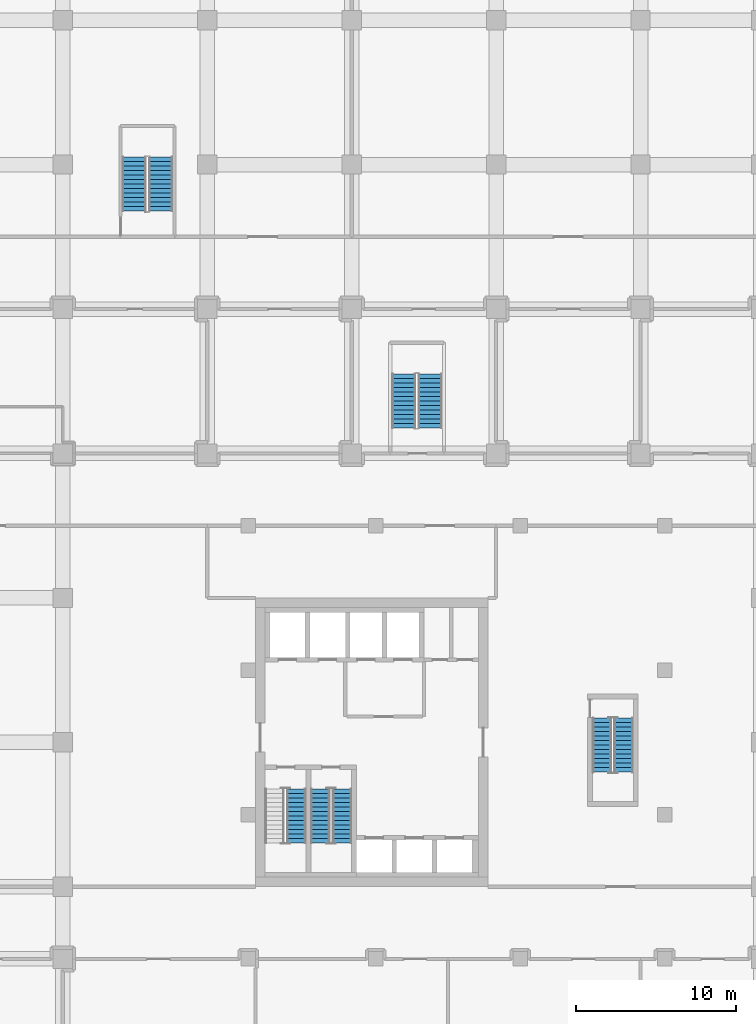
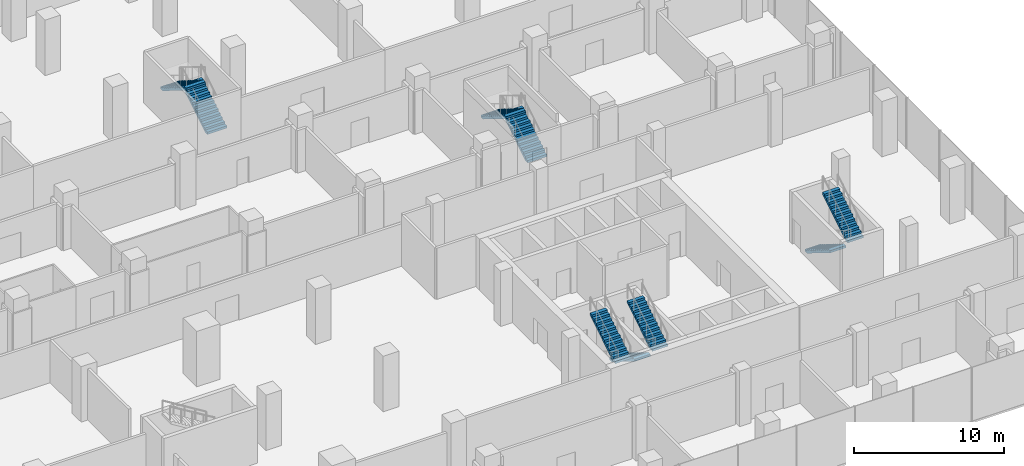
# One storey, part 38 of 43: 9 stair flights, 5 elements without a shape of their own.
"""IFC4 building model written with IfcOpenShell, lengths in metres."""

from ifc_helpers import new_model, si_unit, direction, frame, origin, place, context, subcontext, project, spatial, polyline, outline, extrude, material, type_object, element, aggregate, save


model = new_model("IFC4")

# Units and contexts
model_context = context("Model", 3, precision=1e-05, world=origin(), true_north=direction((0.0, 1.0)))
body_context = subcontext(model_context, "Body", "Model", "MODEL_VIEW")
ifc_project = project(units=[si_unit("LENGTHUNIT", "METRE"), si_unit("AREAUNIT", "SQUARE_METRE"), si_unit("VOLUMEUNIT", "CUBIC_METRE"), si_unit("PLANEANGLEUNIT", "RADIAN"), si_unit("MASSUNIT", "GRAM", prefix="KILO")], contexts=[model_context])

# Site, building, storey
site_placement = place(None, origin())
site = spatial("IfcSite", under=ifc_project, at=site_placement, CompositionType="ELEMENT")
building_placement = place(site_placement, origin())
building = spatial("IfcBuilding", under=site, at=building_placement, Name="Plateau Cross Towers", CompositionType="ELEMENT")
storey_placement = place(building_placement, frame((0.0, 0.0, 12.800048828125)))
storey = spatial("IfcBuildingStorey", under=building, at=storey_placement, Name="L02", CompositionType="ELEMENT", Elevation=12.800048828125)

# Stair, stair flights
ifc_material = material(Name="Concrete C40/50", Category="concrete")
stair_type_1 = type_object("IfcStairType", Name="Podium exit stair 1500", PredefinedType="HALF_TURN_STAIR", material=ifc_material)
stair_1_placement = place(storey_placement, origin())
stair_1 = element("IfcStair", 1, at=stair_1_placement, inside=storey, type_object=stair_type_1, Name="L02 Exit Stair 3", PredefinedType="HALF_TURN_STAIR")
stair_flight_type_1 = type_object("IfcStairFlightType", Name="Podium stair flight 1500", PredefinedType="STRAIGHT", material=ifc_material)
stair_flight_1_placement = place(storey_placement, frame((69.10009765625, 42.10009765625, 0.0), z_axis=(0.0, 0.0, 1.0), x_axis=(0.0, 1.0, 0.0)))
stair_flight_1 = element("IfcStairFlight", 2, at=stair_flight_1_placement, type_object=stair_flight_type_1, Name="PS3 flight 1", NumberOfRisers=13, NumberOfTreads=12, PredefinedType="STRAIGHT", RiserHeight=0.173076923, TreadLength=0.28, context=body_context, shape_type="SweptSolid", body=[
    extrude(outline(polyline([(-0.0048828125, -0.010009765625), (-0.0048828125, 0.0), (0.0, 0.0), (0.0, 0.173095703125), (0.280029296875, 0.173095703125), (0.280029296875, 0.34619140625), (0.56005859375, 0.34619140625), (0.56005859375, 0.519287109375), (0.840087890625, 0.519287109375), (0.840087890625, 0.6923828125), (1.1201171875, 0.6923828125), (1.1201171875, 0.865478515625), (1.39990234375, 0.865478515625), (1.39990234375, 1.03857421875), (1.679931640625, 1.03857421875), (1.679931640625, 1.21142578125), (1.9599609375, 1.21142578125), (1.9599609375, 1.384521484375), (2.239990234375, 1.384521484375), (2.239990234375, 1.5576171875), (2.52001953125, 1.5576171875), (2.52001953125, 1.730712890625), (2.800048828125, 1.730712890625), (2.800048828125, 1.90380859375), (3.080078125, 1.90380859375), (3.080078125, 2.076904296875), (3.360107421875, 2.076904296875), (3.364990234375, 2.06689453125), (3.364990234375, 1.900634765625), (3.360107421875, 1.900634765625), (0.28515625, 0.0), (0.02001953125, 0.0), (0.02001953125, -0.010009765625), (-0.0048828125, -0.010009765625)])), frame((0.0, 0.75, 0.0), z_axis=(0.0, -1.0, 0.0), x_axis=(1.0, 0.0, 0.0)), (0.0, 0.0, 1.0), 1.5),
])
stair_flight_2_placement = place(storey_placement, frame((67.449951171875, 45.4599609375, 2.25), z_axis=(0.0, 0.0, 1.0), x_axis=(0.0, -1.0, 0.0)))
stair_flight_2 = element("IfcStairFlight", 3, at=stair_flight_2_placement, type_object=stair_flight_type_1, Name="PS3 flight 2", NumberOfRisers=13, NumberOfTreads=12, PredefinedType="STRAIGHT", RiserHeight=0.173076923, TreadLength=0.28, context=body_context, shape_type="SweptSolid", body=[
    extrude(outline(polyline([(-0.0048828125, -0.010009765625), (-0.0048828125, 0.0), (0.0, 0.0), (0.0, 0.173095703125), (0.280029296875, 0.173095703125), (0.280029296875, 0.34619140625), (0.56005859375, 0.34619140625), (0.56005859375, 0.519287109375), (0.840087890625, 0.519287109375), (0.840087890625, 0.6923828125), (1.1201171875, 0.6923828125), (1.1201171875, 0.865478515625), (1.39990234375, 0.865478515625), (1.39990234375, 1.03857421875), (1.679931640625, 1.03857421875), (1.679931640625, 1.21142578125), (1.9599609375, 1.21142578125), (1.9599609375, 1.384521484375), (2.239990234375, 1.384521484375), (2.239990234375, 1.5576171875), (2.52001953125, 1.5576171875), (2.52001953125, 1.730712890625), (2.800048828125, 1.730712890625), (2.800048828125, 1.90380859375), (3.080078125, 1.90380859375), (3.080078125, 2.076904296875), (3.360107421875, 2.076904296875), (3.364990234375, 2.06689453125), (3.364990234375, 1.900634765625), (3.360107421875, 1.900634765625), (0.28515625, 0.0), (0.02001953125, 0.0), (0.02001953125, -0.010009765625), (-0.0048828125, -0.010009765625)])), frame((0.0, 0.75, 0.0), z_axis=(0.0, -1.0, 0.0), x_axis=(1.0, 0.0, 0.0)), (0.0, 0.0, 1.0), 1.5),
])
aggregate(stair_1, [stair_flight_1, stair_flight_2])

stair_2_placement = place(storey_placement, origin())
stair_2 = element("IfcStair", 4, at=stair_2_placement, inside=storey, type_object=stair_type_1, Name="L02 Exit Stair 5", PredefinedType="HALF_TURN_STAIR")
stair_flight_3_placement = place(storey_placement, frame((85.89990234375, 28.60009765625, 0.0), z_axis=(0.0, 0.0, 1.0), x_axis=(0.0, 1.0, 0.0)))
stair_flight_3 = element("IfcStairFlight", 5, at=stair_flight_3_placement, type_object=stair_flight_type_1, Name="PS5 flight 1", NumberOfRisers=13, NumberOfTreads=12, PredefinedType="STRAIGHT", RiserHeight=0.173076923, TreadLength=0.28, context=body_context, shape_type="SweptSolid", body=[
    extrude(outline(polyline([(-0.0048828125, -0.010009765625), (-0.0048828125, 0.0), (0.0, 0.0), (0.0, 0.173095703125), (0.280029296875, 0.173095703125), (0.280029296875, 0.34619140625), (0.56005859375, 0.34619140625), (0.56005859375, 0.519287109375), (0.840087890625, 0.519287109375), (0.840087890625, 0.6923828125), (1.1201171875, 0.6923828125), (1.1201171875, 0.865478515625), (1.39990234375, 0.865478515625), (1.39990234375, 1.03857421875), (1.679931640625, 1.03857421875), (1.679931640625, 1.21142578125), (1.9599609375, 1.21142578125), (1.9599609375, 1.384521484375), (2.239990234375, 1.384521484375), (2.239990234375, 1.5576171875), (2.52001953125, 1.5576171875), (2.52001953125, 1.730712890625), (2.800048828125, 1.730712890625), (2.800048828125, 1.90380859375), (3.080078125, 1.90380859375), (3.080078125, 2.076904296875), (3.360107421875, 2.076904296875), (3.364990234375, 2.06689453125), (3.364990234375, 1.900634765625), (3.360107421875, 1.900634765625), (0.28515625, 0.0), (0.02001953125, 0.0), (0.02001953125, -0.010009765625), (-0.0048828125, -0.010009765625)])), frame((0.0, 0.75, 0.0), z_axis=(0.0, -1.0, 0.0), x_axis=(1.0, 0.0, 0.0)), (0.0, 0.0, 1.0), 1.5),
])
stair_flight_4_placement = place(storey_placement, frame((84.25, 31.9599609375, 2.25), z_axis=(0.0, 0.0, 1.0), x_axis=(0.0, -1.0, 0.0)))
stair_flight_4 = element("IfcStairFlight", 6, at=stair_flight_4_placement, type_object=stair_flight_type_1, Name="PS5 flight 2", NumberOfRisers=13, NumberOfTreads=12, PredefinedType="STRAIGHT", RiserHeight=0.173076923, TreadLength=0.28, context=body_context, shape_type="SweptSolid", body=[
    extrude(outline(polyline([(-0.0048828125, -0.010009765625), (-0.0048828125, 0.0), (0.0, 0.0), (0.0, 0.173095703125), (0.280029296875, 0.173095703125), (0.280029296875, 0.34619140625), (0.56005859375, 0.34619140625), (0.56005859375, 0.519287109375), (0.840087890625, 0.519287109375), (0.840087890625, 0.6923828125), (1.1201171875, 0.6923828125), (1.1201171875, 0.865478515625), (1.39990234375, 0.865478515625), (1.39990234375, 1.03857421875), (1.679931640625, 1.03857421875), (1.679931640625, 1.21142578125), (1.9599609375, 1.21142578125), (1.9599609375, 1.384521484375), (2.239990234375, 1.384521484375), (2.239990234375, 1.5576171875), (2.52001953125, 1.5576171875), (2.52001953125, 1.730712890625), (2.800048828125, 1.730712890625), (2.800048828125, 1.90380859375), (3.080078125, 1.90380859375), (3.080078125, 2.076904296875), (3.360107421875, 2.076904296875), (3.364990234375, 2.06689453125), (3.364990234375, 1.900634765625), (3.360107421875, 1.900634765625), (0.28515625, 0.0), (0.02001953125, 0.0), (0.02001953125, -0.010009765625), (-0.0048828125, -0.010009765625)])), frame((0.0, 0.75, 0.0), z_axis=(0.0, -1.0, 0.0), x_axis=(1.0, 0.0, 0.0)), (0.0, 0.0, 1.0), 1.5),
])
aggregate(stair_2, [stair_flight_3, stair_flight_4])

# Stair, stair flight
stair_type_2 = type_object("IfcStairType", Name="ST-TWR", PredefinedType="HALF_TURN_STAIR", material=ifc_material)
stair_3_placement = place(storey_placement, origin())
stair_3 = element("IfcStair", 7, at=stair_3_placement, inside=storey, type_object=stair_type_2, Name="L02 Protected Exit Stair SB-1", PredefinedType="HALF_TURN_STAIR")
stair_flight_type_2 = type_object("IfcStairFlightType", Name="SFL-RC", PredefinedType="STRAIGHT", material=ifc_material)
stair_flight_5_placement = place(storey_placement, frame((77.550048828125, 2.739990234375, 2.25), z_axis=(0.0, 0.0, 1.0), x_axis=(0.0, 1.0, 0.0)))
stair_flight_5 = element("IfcStairFlight", 8, at=stair_flight_5_placement, type_object=stair_flight_type_2, Name="SB-1 flight 2", NumberOfRisers=13, NumberOfTreads=12, PredefinedType="STRAIGHT", RiserHeight=0.173076923, TreadLength=0.28, context=body_context, shape_type="SweptSolid", body=[
    extrude(outline(polyline([(-0.0048828125, -0.010009765625), (-0.0048828125, 0.0), (0.0, 0.0), (0.0, 0.173095703125), (0.280029296875, 0.173095703125), (0.280029296875, 0.34619140625), (0.56005859375, 0.34619140625), (0.56005859375, 0.519287109375), (0.840087890625, 0.519287109375), (0.840087890625, 0.6923828125), (1.1201171875, 0.6923828125), (1.1201171875, 0.865478515625), (1.39990234375, 0.865478515625), (1.39990234375, 1.03857421875), (1.679931640625, 1.03857421875), (1.679931640625, 1.21142578125), (1.9599609375, 1.21142578125), (1.9599609375, 1.384521484375), (2.239990234375, 1.384521484375), (2.239990234375, 1.5576171875), (2.52001953125, 1.5576171875), (2.52001953125, 1.730712890625), (2.800048828125, 1.730712890625), (2.800048828125, 1.90380859375), (3.080078125, 1.90380859375), (3.080078125, 2.076904296875), (3.360107421875, 2.076904296875), (3.364990234375, 2.06689453125), (3.364990234375, 1.900634765625), (3.360107421875, 1.900634765625), (0.28515625, 0.0), (0.02001953125, 0.0), (0.02001953125, -0.010009765625), (-0.0048828125, -0.010009765625)])), frame((0.0, 0.60009765625, 0.0), z_axis=(0.0, -1.0, 0.0), x_axis=(1.0, 0.0, 0.0)), (0.0, 0.0, 1.0), 1.199951171875),
])
aggregate(stair_3, [stair_flight_5])

# Stair, stair flights
stair_4_placement = place(storey_placement, origin())
stair_4 = element("IfcStair", 9, at=stair_4_placement, inside=storey, type_object=stair_type_2, Name="L02 Protected Exit Stair SB-2", PredefinedType="HALF_TURN_STAIR")
stair_flight_6_placement = place(storey_placement, frame((79.050048828125, 6.10009765625, 0.0), z_axis=(0.0, 0.0, 1.0), x_axis=(0.0, -1.0, 0.0)))
stair_flight_6 = element("IfcStairFlight", 10, at=stair_flight_6_placement, type_object=stair_flight_type_2, Name="SB-2 flight 1", NumberOfRisers=13, NumberOfTreads=12, PredefinedType="STRAIGHT", RiserHeight=0.173076923, TreadLength=0.28, context=body_context, shape_type="SweptSolid", body=[
    extrude(outline(polyline([(-0.0048828125, -0.010009765625), (-0.0048828125, 0.0), (0.0, 0.0), (0.0, 0.173095703125), (0.280029296875, 0.173095703125), (0.280029296875, 0.34619140625), (0.56005859375, 0.34619140625), (0.56005859375, 0.519287109375), (0.840087890625, 0.519287109375), (0.840087890625, 0.6923828125), (1.1201171875, 0.6923828125), (1.1201171875, 0.865478515625), (1.39990234375, 0.865478515625), (1.39990234375, 1.03857421875), (1.679931640625, 1.03857421875), (1.679931640625, 1.21142578125), (1.9599609375, 1.21142578125), (1.9599609375, 1.384521484375), (2.239990234375, 1.384521484375), (2.239990234375, 1.5576171875), (2.52001953125, 1.5576171875), (2.52001953125, 1.730712890625), (2.800048828125, 1.730712890625), (2.800048828125, 1.90380859375), (3.080078125, 1.90380859375), (3.080078125, 2.076904296875), (3.360107421875, 2.076904296875), (3.364990234375, 2.06689453125), (3.364990234375, 1.900634765625), (3.360107421875, 1.900634765625), (0.28515625, 0.0), (0.02001953125, 0.0), (0.02001953125, -0.010009765625), (-0.0048828125, -0.010009765625)])), frame((0.0, 0.60009765625, 0.0), z_axis=(0.0, -1.0, 0.0), x_axis=(1.0, 0.0, 0.0)), (0.0, 0.0, 1.0), 1.199951171875),
])
stair_flight_7_placement = place(storey_placement, frame((80.39990234375, 2.739990234375, 2.25), z_axis=(0.0, 0.0, 1.0), x_axis=(0.0, 1.0, 0.0)))
stair_flight_7 = element("IfcStairFlight", 11, at=stair_flight_7_placement, type_object=stair_flight_type_2, Name="SB-2 flight 2", NumberOfRisers=13, NumberOfTreads=12, PredefinedType="STRAIGHT", RiserHeight=0.173076923, TreadLength=0.28, context=body_context, shape_type="SweptSolid", body=[
    extrude(outline(polyline([(-0.0048828125, -0.010009765625), (-0.0048828125, 0.0), (0.0, 0.0), (0.0, 0.173095703125), (0.280029296875, 0.173095703125), (0.280029296875, 0.34619140625), (0.56005859375, 0.34619140625), (0.56005859375, 0.519287109375), (0.840087890625, 0.519287109375), (0.840087890625, 0.6923828125), (1.1201171875, 0.6923828125), (1.1201171875, 0.865478515625), (1.39990234375, 0.865478515625), (1.39990234375, 1.03857421875), (1.679931640625, 1.03857421875), (1.679931640625, 1.21142578125), (1.9599609375, 1.21142578125), (1.9599609375, 1.384521484375), (2.239990234375, 1.384521484375), (2.239990234375, 1.5576171875), (2.52001953125, 1.5576171875), (2.52001953125, 1.730712890625), (2.800048828125, 1.730712890625), (2.800048828125, 1.90380859375), (3.080078125, 1.90380859375), (3.080078125, 2.076904296875), (3.360107421875, 2.076904296875), (3.364990234375, 2.06689453125), (3.364990234375, 1.900634765625), (3.360107421875, 1.900634765625), (0.28515625, 0.0), (0.02001953125, 0.0), (0.02001953125, -0.010009765625), (-0.0048828125, -0.010009765625)])), frame((0.0, 0.60009765625, 0.0), z_axis=(0.0, -1.0, 0.0), x_axis=(1.0, 0.0, 0.0)), (0.0, 0.0, 1.0), 1.199951171875),
])
aggregate(stair_4, [stair_flight_6, stair_flight_7])

stair_5_placement = place(storey_placement, origin())
stair_5 = element("IfcStair", 12, at=stair_5_placement, inside=storey, type_object=stair_type_2, Name="L02 Protected Exit Stair SB-3", PredefinedType="HALF_TURN_STAIR")
stair_flight_8_placement = place(storey_placement, frame((96.60009765625, 10.5, 0.0), z_axis=(0.0, 0.0, 1.0), x_axis=(0.0, -1.0, 0.0)))
stair_flight_8 = element("IfcStairFlight", 13, at=stair_flight_8_placement, type_object=stair_flight_type_2, Name="SB-3 flight 1", NumberOfRisers=13, NumberOfTreads=12, PredefinedType="STRAIGHT", RiserHeight=0.173076923, TreadLength=0.28, context=body_context, shape_type="SweptSolid", body=[
    extrude(outline(polyline([(-0.0048828125, -0.010009765625), (-0.0048828125, 0.0), (0.0, 0.0), (0.0, 0.173095703125), (0.280029296875, 0.173095703125), (0.280029296875, 0.34619140625), (0.56005859375, 0.34619140625), (0.56005859375, 0.519287109375), (0.840087890625, 0.519287109375), (0.840087890625, 0.6923828125), (1.1201171875, 0.6923828125), (1.1201171875, 0.865478515625), (1.39990234375, 0.865478515625), (1.39990234375, 1.03857421875), (1.679931640625, 1.03857421875), (1.679931640625, 1.21142578125), (1.9599609375, 1.21142578125), (1.9599609375, 1.384521484375), (2.239990234375, 1.384521484375), (2.239990234375, 1.5576171875), (2.52001953125, 1.5576171875), (2.52001953125, 1.730712890625), (2.800048828125, 1.730712890625), (2.800048828125, 1.90380859375), (3.080078125, 1.90380859375), (3.080078125, 2.076904296875), (3.360107421875, 2.076904296875), (3.364990234375, 2.06689453125), (3.364990234375, 1.900634765625), (3.360107421875, 1.900634765625), (0.28515625, 0.0), (0.02001953125, 0.0), (0.02001953125, -0.010009765625), (-0.0048828125, -0.010009765625)])), frame((0.0, 0.60009765625, 0.0), z_axis=(0.0, -1.0, 0.0), x_axis=(1.0, 0.0, 0.0)), (0.0, 0.0, 1.0), 1.199951171875),
])
stair_flight_9_placement = place(storey_placement, frame((97.949951171875, 7.139892578125, 2.25), z_axis=(0.0, 0.0, 1.0), x_axis=(0.0, 1.0, 0.0)))
stair_flight_9 = element("IfcStairFlight", 14, at=stair_flight_9_placement, type_object=stair_flight_type_2, Name="SB-3 flight 2", NumberOfRisers=13, NumberOfTreads=12, PredefinedType="STRAIGHT", RiserHeight=0.173076923, TreadLength=0.28, context=body_context, shape_type="SweptSolid", body=[
    extrude(outline(polyline([(-0.0048828125, -0.010009765625), (-0.0048828125, 0.0), (0.0, 0.0), (0.0, 0.173095703125), (0.280029296875, 0.173095703125), (0.280029296875, 0.34619140625), (0.56005859375, 0.34619140625), (0.56005859375, 0.519287109375), (0.840087890625, 0.519287109375), (0.840087890625, 0.6923828125), (1.1201171875, 0.6923828125), (1.1201171875, 0.865478515625), (1.39990234375, 0.865478515625), (1.39990234375, 1.03857421875), (1.679931640625, 1.03857421875), (1.679931640625, 1.21142578125), (1.9599609375, 1.21142578125), (1.9599609375, 1.384521484375), (2.239990234375, 1.384521484375), (2.239990234375, 1.5576171875), (2.52001953125, 1.5576171875), (2.52001953125, 1.730712890625), (2.800048828125, 1.730712890625), (2.800048828125, 1.90380859375), (3.080078125, 1.90380859375), (3.080078125, 2.076904296875), (3.360107421875, 2.076904296875), (3.364990234375, 2.06689453125), (3.364990234375, 1.900634765625), (3.360107421875, 1.900634765625), (0.28515625, 0.0), (0.02001953125, 0.0), (0.02001953125, -0.010009765625), (-0.0048828125, -0.010009765625)])), frame((0.0, 0.60009765625, 0.0), z_axis=(0.0, -1.0, 0.0), x_axis=(1.0, 0.0, 0.0)), (0.0, 0.0, 1.0), 1.199951171875),
])
aggregate(stair_5, [stair_flight_8, stair_flight_9])

save(model, "model.ifc")
